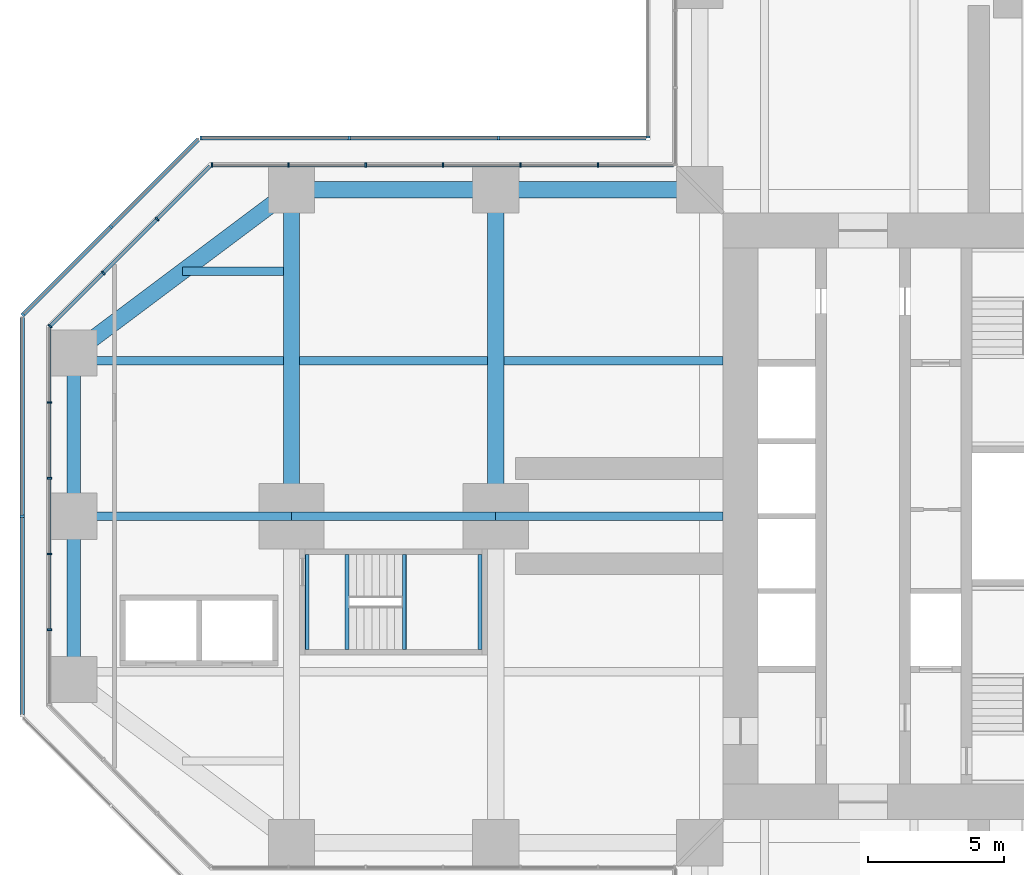
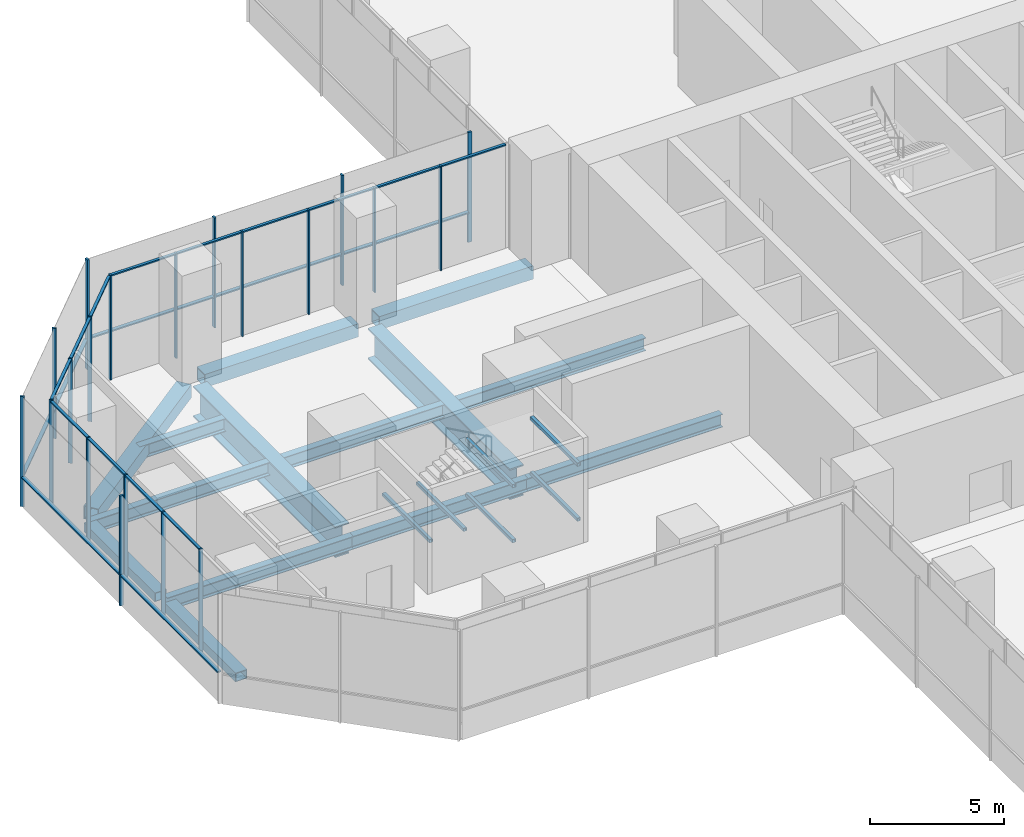
# One storey, part 7 of 23: 40 members, 20 beams, 7 elements without a shape of their own.
"""IFC4 building model written with IfcOpenShell, lengths in metres."""

from ifc_helpers import new_model, si_unit, direction, frame, origin, origin_2d, place, context, subcontext, project, spatial, rectangle, hollow_rectangle, i_section, extrude, material, material_profile, profile_set, type_object, element, aggregate, save


model = new_model("IFC4")

# Units and contexts
model_context = context("Model", 3, precision=1e-05, world=origin(), true_north=direction((0.0, 1.0)))
body_context = subcontext(model_context, "Body", "Model", "MODEL_VIEW")
ifc_project = project(units=[si_unit("LENGTHUNIT", "METRE"), si_unit("AREAUNIT", "SQUARE_METRE"), si_unit("VOLUMEUNIT", "CUBIC_METRE"), si_unit("PLANEANGLEUNIT", "RADIAN"), si_unit("MASSUNIT", "GRAM", prefix="KILO")], contexts=[model_context])

# Site, building, storey
site_placement = place(None, origin())
site = spatial("IfcSite", under=ifc_project, at=site_placement, CompositionType="ELEMENT")
building_placement = place(site_placement, origin())
building = spatial("IfcBuilding", under=site, at=building_placement, Name="Mizan Broadcast Tower", CompositionType="ELEMENT")
storey_placement = place(building_placement, frame((0.0, 0.0, 23.0)))
storey = spatial("IfcBuildingStorey", under=building, at=storey_placement, Name="L03", CompositionType="ELEMENT", Elevation=23.0)

# Beams
ifc_material_1 = material(Name="Steel S355", Category="steel")
ifc_material_profile_1 = material_profile(ifc_material_1, hollow_rectangle(XDim=0.5, YDim=0.39990234375, WallThickness=0.02490234375, at=origin_2d()), Name="BOX 400x500x25")
ifc_profile_set_1 = profile_set([ifc_material_profile_1], Name="Steel S355")
beam_type_1 = type_object("IfcBeamType", Name="EDGE BEAM BOX 400x500x25", PredefinedType="SPANDREL", material=ifc_profile_set_1)
for number, where, z_axis, x_axis, name in (
    (1, (-35.0, 5.639892578125, -0.449951171875), (0.0, -1.0, 0.0), (1.0, 0.0, 0.0), "Edge beam BOX 400x500x25 L03 west arm"),
    (2, (-35.0, -5.639892578125, -0.449951171875), (0.0, 1.0, 0.0), (-1.0, 0.0, 0.0), "Edge beam BOX 400x500x25 L03 west arm"),
):
    element("IfcBeam", number, at=place(storey_placement, frame(where, z_axis=z_axis, x_axis=x_axis)), inside=storey, type_object=beam_type_1, Name=name, PredefinedType="SPANDREL", context=body_context, shape_type="SweptSolid", body=[
        extrude(hollow_rectangle(XDim=0.5, YDim=0.39990234375, WallThickness=0.02490234375, at=origin_2d()), origin(), (0.0, 0.0, 1.0), 5.27978515625),
    ])
ifc_material_2 = material(Name="Steel S355", Category="steel")
ifc_material_profile_2 = material_profile(ifc_material_2, hollow_rectangle(XDim=0.60009765625, YDim=0.60009765625, WallThickness=0.030029296875, at=origin_2d()), Name="BOX 600x600x30")
ifc_profile_set_2 = profile_set([ifc_material_profile_2], Name="Steel S355")
beam_type_2 = type_object("IfcBeamType", Name="EDGE BEAM BOX 600x600x30", PredefinedType="SPANDREL", material=ifc_profile_set_2)
beam_1_placement = place(storey_placement, frame((-27.47998046875, 11.639892578125, -0.550048828125), z_axis=(-0.800013316712, -0.599982243973, 0.0), x_axis=(0.599982243973, -0.800013316712, 0.0)))
element("IfcBeam", 3, at=beam_1_placement, inside=storey, type_object=beam_type_2, Name="Edge beam BOX 600x600x30 L03 west arm", PredefinedType="SPANDREL", context=body_context, shape_type="SweptSolid", body=[
    extrude(hollow_rectangle(XDim=0.60009765625, YDim=0.60009765625, WallThickness=0.030029296875, at=origin_2d()), origin(), (0.0, 0.0, 1.0), 8.7998046875),
])
ifc_material_3 = material(Name="Steel S355", Category="steel")
ifc_material_profile_3 = material_profile(ifc_material_3, hollow_rectangle(XDim=0.60009765625, YDim=0.60009765625, WallThickness=0.0400390625, at=origin_2d()), Name="BOX 600x600x40")
ifc_profile_set_3 = profile_set([ifc_material_profile_3], Name="Steel S355")
beam_type_3 = type_object("IfcBeamType", Name="EDGE BEAM BOX 600x600x40", PredefinedType="SPANDREL", material=ifc_profile_set_3)
for number, where, z_axis, x_axis, name in (
    (4, (-12.449951171875, 12.0, -0.550048828125), (-1.0, 0.0, 0.0), (0.0, -1.0, 0.0), "Edge beam BOX 600x600x40 L03 west arm"),
    (5, (-19.949951171875, 12.0, -0.550048828125), (-1.0, 0.0, 0.0), (0.0, -1.0, 0.0), "Edge beam BOX 600x600x40 L03 west arm"),
):
    element("IfcBeam", number, at=place(storey_placement, frame(where, z_axis=z_axis, x_axis=x_axis)), inside=storey, type_object=beam_type_3, Name=name, PredefinedType="SPANDREL", context=body_context, shape_type="SweptSolid", body=[
        extrude(hollow_rectangle(XDim=0.60009765625, YDim=0.60009765625, WallThickness=0.0400390625, at=origin_2d()), origin(), (0.0, 0.0, 1.0), 6.60009765625),
    ])
ifc_material_4 = material(Name="Steel S460", Category="steel")
ifc_material_profile_4 = material_profile(ifc_material_4, i_section(OverallWidth=0.60009765625, OverallDepth=1.39990234375, WebThickness=0.02490234375, FlangeThickness=0.06005859375, at=origin_2d()), Name="WPG 1400x600")
ifc_profile_set_4 = profile_set([ifc_material_profile_4], Name="Steel S460")
beam_type_4 = type_object("IfcBeamType", Name="GIRDER WPG 1400x600", PredefinedType="BEAM", material=ifc_profile_set_4)
for number, where, z_axis, x_axis, name in (
    (6, (-19.5, 11.280029296875, -0.949951171875), (0.0, -1.0, 0.0), (1.0, 0.0, 0.0), "Girder WPG 1400x600 L03 west arm"),
    (7, (-27.0, 11.280029296875, -0.949951171875), (0.0, -1.0, 0.0), (1.0, 0.0, 0.0), "Girder WPG 1400x600 L03 west arm"),
):
    element("IfcBeam", number, at=place(storey_placement, frame(where, z_axis=z_axis, x_axis=x_axis)), inside=storey, type_object=beam_type_4, Name=name, PredefinedType="BEAM", context=body_context, shape_type="SweptSolid", body=[
        extrude(i_section(OverallWidth=0.60009765625, OverallDepth=1.39990234375, WebThickness=0.02490234375, FlangeThickness=0.06005859375, at=origin_2d()), origin(), (0.0, 0.0, 1.0), 10.56005859375),
    ])

# Curtain wall, members
ifc_material_5 = material(Name="Aluminium framed glazing", Category="aluminium")
curtain_wall_type_1 = type_object("IfcCurtainWallType", Name="PODIUM CURTAIN WALL", PredefinedType="USERDEFINED", material=ifc_material_5)
curtain_wall_1_placement = place(storey_placement, origin())
curtain_wall_1 = element("IfcCurtainWall", 8, at=curtain_wall_1_placement, inside=storey, type_object=curtain_wall_type_1, Name="Podium curtain wall L03 W side", ObjectType="PODIUM CURTAIN WALL", PredefinedType="USERDEFINED")
ifc_material_6 = material(Name="Aluminium, pale anodised", Category="aluminium")
ifc_material_profile_5 = material_profile(ifc_material_6, rectangle(XDim=0.159912109375, YDim=0.06005859375, at=origin_2d()), Name="MULLION 160x60")
ifc_profile_set_5 = profile_set([ifc_material_profile_5], Name="Aluminium, pale anodised")
member_type_1 = type_object("IfcMemberType", Name="INNER SKIN MULLION 60x160", PredefinedType="MULLION", material=ifc_profile_set_5)
member_1_placement = place(storey_placement, frame((-15.7431640625, 12.89990234375, 0.0), z_axis=(0.0, 0.0, 1.0), x_axis=(0.0, -1.0, 0.0)))
member_1 = element("IfcMember", 9, at=member_1_placement, type_object=member_type_1, Name="Podium curtain wall L03 W side mullion 2", PredefinedType="MULLION", context=body_context, shape_type="SweptSolid", body=[
    extrude(rectangle(XDim=0.159912109375, YDim=0.06005859375, at=origin_2d()), origin(), (0.0, 0.0, 1.0), 4.75),
])
member_2_placement = place(storey_placement, frame((-18.586181640625, 12.89990234375, 0.0), z_axis=(0.0, 0.0, 1.0), x_axis=(0.0, -1.0, 0.0)))
member_2 = element("IfcMember", 10, at=member_2_placement, type_object=member_type_1, Name="Podium curtain wall L03 W side mullion 3", PredefinedType="MULLION", context=body_context, shape_type="SweptSolid", body=[
    extrude(rectangle(XDim=0.159912109375, YDim=0.06005859375, at=origin_2d()), origin(), (0.0, 0.0, 1.0), 4.75),
])
member_3_placement = place(storey_placement, frame((-21.42919921875, 12.89990234375, 0.0), z_axis=(0.0, 0.0, 1.0), x_axis=(0.0, -1.0, 0.0)))
member_3 = element("IfcMember", 11, at=member_3_placement, type_object=member_type_1, Name="Podium curtain wall L03 W side mullion 4", PredefinedType="MULLION", context=body_context, shape_type="SweptSolid", body=[
    extrude(rectangle(XDim=0.159912109375, YDim=0.06005859375, at=origin_2d()), origin(), (0.0, 0.0, 1.0), 4.75),
])
member_4_placement = place(storey_placement, frame((-24.2724609375, 12.89990234375, 0.0), z_axis=(0.0, 0.0, 1.0), x_axis=(0.0, -1.0, 0.0)))
member_4 = element("IfcMember", 12, at=member_4_placement, type_object=member_type_1, Name="Podium curtain wall L03 W side mullion 5", PredefinedType="MULLION", context=body_context, shape_type="SweptSolid", body=[
    extrude(rectangle(XDim=0.159912109375, YDim=0.06005859375, at=origin_2d()), origin(), (0.0, 0.0, 1.0), 4.75),
])
member_5_placement = place(storey_placement, frame((-27.115478515625, 12.89990234375, 0.0), z_axis=(0.0, 0.0, 1.0), x_axis=(0.0, -1.0, 0.0)))
member_5 = element("IfcMember", 13, at=member_5_placement, type_object=member_type_1, Name="Podium curtain wall L03 W side mullion 6", PredefinedType="MULLION", context=body_context, shape_type="SweptSolid", body=[
    extrude(rectangle(XDim=0.159912109375, YDim=0.06005859375, at=origin_2d()), origin(), (0.0, 0.0, 1.0), 4.75),
])
member_6_placement = place(storey_placement, frame((-29.928466796875, 12.89990234375, 0.0), z_axis=(0.0, 0.0, 1.0), x_axis=(0.0, -1.0, 0.0)))
member_6 = element("IfcMember", 14, at=member_6_placement, type_object=member_type_1, Name="Podium curtain wall L03 W side mullion 7", PredefinedType="MULLION", context=body_context, shape_type="SweptSolid", body=[
    extrude(rectangle(XDim=0.159912109375, YDim=0.06005859375, at=origin_2d()), origin(), (0.0, 0.0, 1.0), 4.75),
])

curtain_wall_2_placement = place(storey_placement, origin())
curtain_wall_2 = element("IfcCurtainWall", 15, at=curtain_wall_2_placement, inside=storey, type_object=curtain_wall_type_1, Name="Podium curtain wall L03 W chamfer", ObjectType="PODIUM CURTAIN WALL", PredefinedType="USERDEFINED")
member_7_placement = place(storey_placement, frame((-31.93896484375, 10.91943359375, 0.0), z_axis=(0.0, 0.0, 1.0), x_axis=(0.707106781187, -0.707106781187, 0.0)))
member_7 = element("IfcMember", 16, at=member_7_placement, type_object=member_type_1, Name="Podium curtain wall L03 W chamfer mullion 2", PredefinedType="MULLION", context=body_context, shape_type="SweptSolid", body=[
    extrude(rectangle(XDim=0.159912109375, YDim=0.06005859375, at=origin_2d()), origin(), (0.0, 0.0, 1.0), 4.75),
])
member_8_placement = place(storey_placement, frame((-33.91943359375, 8.93896484375, 0.0), z_axis=(0.0, 0.0, 1.0), x_axis=(0.707106781187, -0.707106781187, 0.0)))
member_8 = element("IfcMember", 17, at=member_8_placement, type_object=member_type_1, Name="Podium curtain wall L03 W chamfer mullion 3", PredefinedType="MULLION", context=body_context, shape_type="SweptSolid", body=[
    extrude(rectangle(XDim=0.159912109375, YDim=0.06005859375, at=origin_2d()), origin(), (0.0, 0.0, 1.0), 4.75),
])
member_9_placement = place(storey_placement, frame((-35.87890625, 6.979736328125, 0.0), z_axis=(0.0, 0.0, 1.0), x_axis=(0.707106781187, -0.707106781187, 0.0)))
member_9 = element("IfcMember", 18, at=member_9_placement, type_object=member_type_1, Name="Podium curtain wall L03 W chamfer mullion 4", PredefinedType="MULLION", context=body_context, shape_type="SweptSolid", body=[
    extrude(rectangle(XDim=0.159912109375, YDim=0.06005859375, at=origin_2d()), origin(), (0.0, 0.0, 1.0), 4.75),
])

curtain_wall_3_placement = place(storey_placement, origin())
curtain_wall_3 = element("IfcCurtainWall", 19, at=curtain_wall_3_placement, inside=storey, type_object=curtain_wall_type_1, Name="Podium curtain wall L03 W end", ObjectType="PODIUM CURTAIN WALL", PredefinedType="USERDEFINED")
member_10_placement = place(storey_placement, frame((-35.89990234375, 4.175048828125, 0.0), z_axis=(0.0, 0.0, 1.0), x_axis=(1.0, 0.0, 0.0)))
member_10 = element("IfcMember", 20, at=member_10_placement, type_object=member_type_1, Name="Podium curtain wall L03 W end mullion 2", PredefinedType="MULLION", context=body_context, shape_type="SweptSolid", body=[
    extrude(rectangle(XDim=0.159912109375, YDim=0.06005859375, at=origin_2d()), origin(), (0.0, 0.0, 1.0), 4.75),
])
member_11_placement = place(storey_placement, frame((-35.89990234375, 1.3916015625, 0.0), z_axis=(0.0, 0.0, 1.0), x_axis=(1.0, 0.0, 0.0)))
member_11 = element("IfcMember", 21, at=member_11_placement, type_object=member_type_1, Name="Podium curtain wall L03 W end mullion 3", PredefinedType="MULLION", context=body_context, shape_type="SweptSolid", body=[
    extrude(rectangle(XDim=0.159912109375, YDim=0.06005859375, at=origin_2d()), origin(), (0.0, 0.0, 1.0), 4.75),
])
member_12_placement = place(storey_placement, frame((-35.89990234375, -1.3916015625, 0.0), z_axis=(0.0, 0.0, 1.0), x_axis=(1.0, 0.0, 0.0)))
member_12 = element("IfcMember", 22, at=member_12_placement, type_object=member_type_1, Name="Podium curtain wall L03 W end mullion 4", PredefinedType="MULLION", context=body_context, shape_type="SweptSolid", body=[
    extrude(rectangle(XDim=0.159912109375, YDim=0.06005859375, at=origin_2d()), origin(), (0.0, 0.0, 1.0), 4.75),
])
member_13_placement = place(storey_placement, frame((-35.89990234375, -4.175048828125, 0.0), z_axis=(0.0, 0.0, 1.0), x_axis=(1.0, 0.0, 0.0)))
member_13 = element("IfcMember", 23, at=member_13_placement, type_object=member_type_1, Name="Podium curtain wall L03 W end mullion 5", PredefinedType="MULLION", context=body_context, shape_type="SweptSolid", body=[
    extrude(rectangle(XDim=0.159912109375, YDim=0.06005859375, at=origin_2d()), origin(), (0.0, 0.0, 1.0), 4.75),
])

# Member
ifc_material_7 = material(Name="Aluminium, pale anodised", Category="aluminium")
ifc_material_profile_6 = material_profile(ifc_material_7, rectangle(XDim=0.1201171875, YDim=0.06005859375, at=origin_2d()), Name="TRANSOM 120x60")
ifc_profile_set_6 = profile_set([ifc_material_profile_6], Name="Aluminium, pale anodised")
member_type_2 = type_object("IfcMemberType", Name="INNER SKIN TRANSOM 60x120", PredefinedType="USERDEFINED", material=ifc_profile_set_6)
member_14_placement = place(storey_placement, frame((-12.9599609375, 12.89990234375, 4.719970703125), z_axis=(-1.0, 0.0, 0.0), x_axis=(0.0, -1.0, 0.0)))
member_14 = element("IfcMember", 24, at=member_14_placement, type_object=member_type_2, Name="Podium curtain wall L03 W side transom 1.1", ObjectType="TRANSOM", PredefinedType="USERDEFINED", context=body_context, shape_type="SweptSolid", body=[
    extrude(rectangle(XDim=0.1201171875, YDim=0.06005859375, at=origin_2d()), origin(), (0.0, 0.0, 1.0), 2.753173828125),
])

member_15_placement = place(storey_placement, frame((-15.773193359375, 12.89990234375, 4.719970703125), z_axis=(-1.0, 0.0, 0.0), x_axis=(0.0, -1.0, 0.0)))
member_15 = element("IfcMember", 25, at=member_15_placement, type_object=member_type_2, Name="Podium curtain wall L03 W side transom 2.1", ObjectType="TRANSOM", PredefinedType="USERDEFINED", context=body_context, shape_type="SweptSolid", body=[
    extrude(rectangle(XDim=0.1201171875, YDim=0.06005859375, at=origin_2d()), origin(), (0.0, 0.0, 1.0), 2.782958984375),
])

member_16_placement = place(storey_placement, frame((-18.6162109375, 12.89990234375, 4.719970703125), z_axis=(-1.0, 0.0, 0.0), x_axis=(0.0, -1.0, 0.0)))
member_16 = element("IfcMember", 26, at=member_16_placement, type_object=member_type_2, Name="Podium curtain wall L03 W side transom 3.1", ObjectType="TRANSOM", PredefinedType="USERDEFINED", context=body_context, shape_type="SweptSolid", body=[
    extrude(rectangle(XDim=0.1201171875, YDim=0.06005859375, at=origin_2d()), origin(), (0.0, 0.0, 1.0), 2.782958984375),
])

member_17_placement = place(storey_placement, frame((-21.459228515625, 12.89990234375, 4.719970703125), z_axis=(-1.0, 0.0, 0.0), x_axis=(0.0, -1.0, 0.0)))
member_17 = element("IfcMember", 27, at=member_17_placement, type_object=member_type_2, Name="Podium curtain wall L03 W side transom 4.1", ObjectType="TRANSOM", PredefinedType="USERDEFINED", context=body_context, shape_type="SweptSolid", body=[
    extrude(rectangle(XDim=0.1201171875, YDim=0.06005859375, at=origin_2d()), origin(), (0.0, 0.0, 1.0), 2.783203125),
])

member_18_placement = place(storey_placement, frame((-24.302490234375, 12.89990234375, 4.719970703125), z_axis=(-1.0, 0.0, 0.0), x_axis=(0.0, -1.0, 0.0)))
member_18 = element("IfcMember", 28, at=member_18_placement, type_object=member_type_2, Name="Podium curtain wall L03 W side transom 5.1", ObjectType="TRANSOM", PredefinedType="USERDEFINED", context=body_context, shape_type="SweptSolid", body=[
    extrude(rectangle(XDim=0.1201171875, YDim=0.06005859375, at=origin_2d()), origin(), (0.0, 0.0, 1.0), 2.782958984375),
])

member_19_placement = place(storey_placement, frame((-27.1455078125, 12.89990234375, 4.719970703125), z_axis=(-1.0, 0.0, 0.0), x_axis=(0.0, -1.0, 0.0)))
member_19 = element("IfcMember", 29, at=member_19_placement, type_object=member_type_2, Name="Podium curtain wall L03 W side transom 6.1", ObjectType="TRANSOM", PredefinedType="USERDEFINED", context=body_context, shape_type="SweptSolid", body=[
    extrude(rectangle(XDim=0.1201171875, YDim=0.06005859375, at=origin_2d()), origin(), (0.0, 0.0, 1.0), 2.753173828125),
])

aggregate(curtain_wall_1, [member_1, member_2, member_3, member_4, member_5, member_6, member_14, member_15, member_16, member_17, member_18, member_19])

member_20_placement = place(storey_placement, frame((-30.0009765625, 12.857666015625, 4.719970703125), z_axis=(-0.707061749709, -0.707151809797, 0.0), x_axis=(0.707151809797, -0.707061749709, 0.0)))
member_20 = element("IfcMember", 30, at=member_20_placement, type_object=member_type_2, Name="Podium curtain wall L03 W chamfer transom 1.1", ObjectType="TRANSOM", PredefinedType="USERDEFINED", context=body_context, shape_type="SweptSolid", body=[
    extrude(rectangle(XDim=0.1201171875, YDim=0.06005859375, at=origin_2d()), origin(), (0.0, 0.0, 1.0), 2.7109375),
])

member_21_placement = place(storey_placement, frame((-31.960205078125, 10.898193359375, 4.719970703125), z_axis=(-0.707106781187, -0.707106781187, 0.0), x_axis=(0.707106781187, -0.707106781187, 0.0)))
member_21 = element("IfcMember", 31, at=member_21_placement, type_object=member_type_2, Name="Podium curtain wall L03 W chamfer transom 2.1", ObjectType="TRANSOM", PredefinedType="USERDEFINED", context=body_context, shape_type="SweptSolid", body=[
    extrude(rectangle(XDim=0.1201171875, YDim=0.06005859375, at=origin_2d()), origin(), (0.0, 0.0, 1.0), 2.74072265625),
])

member_22_placement = place(storey_placement, frame((-33.940673828125, 8.917724609375, 4.719970703125), z_axis=(-0.707151809797, -0.707061749709, 0.0), x_axis=(0.707061749709, -0.707151809797, 0.0)))
member_22 = element("IfcMember", 32, at=member_22_placement, type_object=member_type_2, Name="Podium curtain wall L03 W chamfer transom 3.1", ObjectType="TRANSOM", PredefinedType="USERDEFINED", context=body_context, shape_type="SweptSolid", body=[
    extrude(rectangle(XDim=0.1201171875, YDim=0.06005859375, at=origin_2d()), origin(), (0.0, 0.0, 1.0), 2.7109375),
])

aggregate(curtain_wall_2, [member_7, member_8, member_9, member_20, member_21, member_22])

member_23_placement = place(storey_placement, frame((-35.89990234375, 6.898681640625, 4.719970703125), z_axis=(0.0, -1.0, 0.0), x_axis=(1.0, 0.0, 0.0)))
member_23 = element("IfcMember", 33, at=member_23_placement, type_object=member_type_2, Name="Podium curtain wall L03 W end transom 1.1", ObjectType="TRANSOM", PredefinedType="USERDEFINED", context=body_context, shape_type="SweptSolid", body=[
    extrude(rectangle(XDim=0.1201171875, YDim=0.06005859375, at=origin_2d()), origin(), (0.0, 0.0, 1.0), 2.693603515625),
])

member_24_placement = place(storey_placement, frame((-35.89990234375, 4.145263671875, 4.719970703125), z_axis=(0.0, -1.0, 0.0), x_axis=(1.0, 0.0, 0.0)))
member_24 = element("IfcMember", 34, at=member_24_placement, type_object=member_type_2, Name="Podium curtain wall L03 W end transom 2.1", ObjectType="TRANSOM", PredefinedType="USERDEFINED", context=body_context, shape_type="SweptSolid", body=[
    extrude(rectangle(XDim=0.1201171875, YDim=0.06005859375, at=origin_2d()), origin(), (0.0, 0.0, 1.0), 2.7236328125),
])

member_25_placement = place(storey_placement, frame((-35.89990234375, 1.36181640625, 4.719970703125), z_axis=(0.0, -1.0, 0.0), x_axis=(1.0, 0.0, 0.0)))
member_25 = element("IfcMember", 35, at=member_25_placement, type_object=member_type_2, Name="Podium curtain wall L03 W end transom 3.1", ObjectType="TRANSOM", PredefinedType="USERDEFINED", context=body_context, shape_type="SweptSolid", body=[
    extrude(rectangle(XDim=0.1201171875, YDim=0.06005859375, at=origin_2d()), origin(), (0.0, 0.0, 1.0), 2.7236328125),
])

member_26_placement = place(storey_placement, frame((-35.89990234375, -1.421630859375, 4.719970703125), z_axis=(0.0, -1.0, 0.0), x_axis=(1.0, 0.0, 0.0)))
member_26 = element("IfcMember", 36, at=member_26_placement, type_object=member_type_2, Name="Podium curtain wall L03 W end transom 4.1", ObjectType="TRANSOM", PredefinedType="USERDEFINED", context=body_context, shape_type="SweptSolid", body=[
    extrude(rectangle(XDim=0.1201171875, YDim=0.06005859375, at=origin_2d()), origin(), (0.0, 0.0, 1.0), 2.7236328125),
])

aggregate(curtain_wall_3, [member_10, member_11, member_12, member_13, member_23, member_24, member_25, member_26])

# Beams
ifc_material_8 = material(Name="Steel S355", Category="steel")
ifc_material_profile_7 = material_profile(ifc_material_8, hollow_rectangle(XDim=0.14990234375, YDim=0.14990234375, WallThickness=0.008056640625, InnerFilletRadius=0.008056640625, OuterFilletRadius=0.011962890625, at=origin_2d()), Name="SHS 150x150x8")
ifc_profile_set_7 = profile_set([ifc_material_profile_7], Name="Steel S355")
beam_type_5 = type_object("IfcBeamType", Name="LANDING TRIMMER SHS 150x150x8", PredefinedType="BEAM", material=ifc_profile_set_7)
for number, where, z_axis, x_axis, name in (
    (37, (-22.85498046875, -1.39990234375, 0.97509765625), (0.0, -1.0, 0.0), (1.0, 0.0, 0.0), "Stair D landing trimmer L03"),
    (38, (-20.074951171875, -1.39990234375, 0.97509765625), (0.0, -1.0, 0.0), (1.0, 0.0, 0.0), "Stair D landing trimmer L03"),
    (39, (-26.425048828125, -1.39990234375, 2.22509765625), (0.0, -1.0, 0.0), (1.0, 0.0, 0.0), "Stair D landing trimmer L03"),
    (40, (-24.965087890625, -1.39990234375, 2.22509765625), (0.0, -1.0, 0.0), (1.0, 0.0, 0.0), "Stair D landing trimmer L03"),
    (41, (-22.85498046875, -1.39990234375, 3.47509765625), (0.0, -1.0, 0.0), (1.0, 0.0, 0.0), "Stair D landing trimmer L03"),
    (42, (-20.074951171875, -1.39990234375, 3.47509765625), (0.0, -1.0, 0.0), (1.0, 0.0, 0.0), "Stair D landing trimmer L03"),
):
    element("IfcBeam", number, at=place(storey_placement, frame(where, z_axis=z_axis, x_axis=x_axis)), inside=storey, type_object=beam_type_5, Name=name, PredefinedType="BEAM", context=body_context, shape_type="SweptSolid", body=[
        extrude(hollow_rectangle(XDim=0.14990234375, YDim=0.14990234375, WallThickness=0.008056640625, InnerFilletRadius=0.008056640625, OuterFilletRadius=0.011962890625, at=origin_2d()), origin(), (0.0, 0.0, 1.0), 3.5),
    ])

# Curtain wall, member
ifc_material_9 = material(Name="Aluminium framed glazing", Category="aluminium")
curtain_wall_type_2 = type_object("IfcCurtainWallType", Name="OUTER SKIN", PredefinedType="USERDEFINED", material=ifc_material_9)
curtain_wall_4_placement = place(storey_placement, origin())
curtain_wall_4 = element("IfcCurtainWall", 43, at=curtain_wall_4_placement, inside=storey, type_object=curtain_wall_type_2, Name="Outer skin L03 N side", ObjectType="OUTER SKIN", PredefinedType="USERDEFINED")
ifc_material_10 = material(Name="Aluminium, pale anodised", Category="aluminium")
ifc_material_profile_8 = material_profile(ifc_material_10, rectangle(XDim=0.159912109375, YDim=0.080078125, at=origin_2d()), Name="MULLION 160x80")
ifc_profile_set_8 = profile_set([ifc_material_profile_8], Name="Aluminium, pale anodised")
member_type_3 = type_object("IfcMemberType", Name="OUTER SKIN MULLION 80x160", PredefinedType="MULLION", material=ifc_profile_set_8)
member_27_placement = place(storey_placement, frame((-13.89990234375, 13.93994140625, 0.0), z_axis=(0.0, 0.0, 1.0), x_axis=(1.0, 0.0, 0.0)))
member_27 = element("IfcMember", 44, at=member_27_placement, type_object=member_type_3, Name="Outer skin L03 N side mullion 4", PredefinedType="MULLION", context=body_context, shape_type="SweptSolid", body=[
    extrude(rectangle(XDim=0.159912109375, YDim=0.080078125, at=origin_2d()), origin(), (0.0, 0.0, 1.0), 5.0),
])
aggregate(curtain_wall_4, [member_27])

# Curtain wall, members
curtain_wall_5_placement = place(storey_placement, origin())
curtain_wall_5 = element("IfcCurtainWall", 45, at=curtain_wall_5_placement, inside=storey, type_object=curtain_wall_type_2, Name="Outer skin L03 W side", ObjectType="OUTER SKIN", PredefinedType="USERDEFINED")
member_28_placement = place(storey_placement, frame((-19.390869140625, 13.89990234375, 0.0), z_axis=(0.0, 0.0, 1.0), x_axis=(0.0, -1.0, 0.0)))
member_28 = element("IfcMember", 46, at=member_28_placement, type_object=member_type_3, Name="Outer skin L03 W side mullion 2", PredefinedType="MULLION", context=body_context, shape_type="SweptSolid", body=[
    extrude(rectangle(XDim=0.159912109375, YDim=0.080078125, at=origin_2d()), origin(), (0.0, 0.0, 1.0), 5.0),
])
member_29_placement = place(storey_placement, frame((-24.8818359375, 13.89990234375, 0.0), z_axis=(0.0, 0.0, 1.0), x_axis=(0.0, -1.0, 0.0)))
member_29 = element("IfcMember", 47, at=member_29_placement, type_object=member_type_3, Name="Outer skin L03 W side mullion 3", PredefinedType="MULLION", context=body_context, shape_type="SweptSolid", body=[
    extrude(rectangle(XDim=0.159912109375, YDim=0.080078125, at=origin_2d()), origin(), (0.0, 0.0, 1.0), 5.0),
])
member_30_placement = place(storey_placement, frame((-30.332763671875, 13.89990234375, 0.0), z_axis=(0.0, 0.0, 1.0), x_axis=(0.0, -1.0, 0.0)))
member_30 = element("IfcMember", 48, at=member_30_placement, type_object=member_type_3, Name="Outer skin L03 W side mullion 4", PredefinedType="MULLION", context=body_context, shape_type="SweptSolid", body=[
    extrude(rectangle(XDim=0.159912109375, YDim=0.080078125, at=origin_2d()), origin(), (0.0, 0.0, 1.0), 5.0),
])

curtain_wall_6_placement = place(storey_placement, origin())
curtain_wall_6 = element("IfcCurtainWall", 49, at=curtain_wall_6_placement, inside=storey, type_object=curtain_wall_type_2, Name="Outer skin L03 W chamfer", ObjectType="OUTER SKIN", PredefinedType="USERDEFINED")
member_31_placement = place(storey_placement, frame((-33.636474609375, 10.636474609375, 0.0), z_axis=(0.0, 0.0, 1.0), x_axis=(0.707106781187, -0.707106781187, 0.0)))
member_31 = element("IfcMember", 50, at=member_31_placement, type_object=member_type_3, Name="Outer skin L03 W chamfer mullion 2", PredefinedType="MULLION", context=body_context, shape_type="SweptSolid", body=[
    extrude(rectangle(XDim=0.159912109375, YDim=0.080078125, at=origin_2d()), origin(), (0.0, 0.0, 1.0), 5.0),
])
member_32_placement = place(storey_placement, frame((-36.871826171875, 7.401123046875, 0.0), z_axis=(0.0, 0.0, 1.0), x_axis=(0.707106781187, -0.707106781187, 0.0)))
member_32 = element("IfcMember", 51, at=member_32_placement, type_object=member_type_3, Name="Outer skin L03 W chamfer mullion 3", PredefinedType="MULLION", context=body_context, shape_type="SweptSolid", body=[
    extrude(rectangle(XDim=0.159912109375, YDim=0.080078125, at=origin_2d()), origin(), (0.0, 0.0, 1.0), 5.0),
])

# Curtain wall, member
curtain_wall_7_placement = place(storey_placement, origin())
curtain_wall_7 = element("IfcCurtainWall", 52, at=curtain_wall_7_placement, inside=storey, type_object=curtain_wall_type_2, Name="Outer skin L03 W end", ObjectType="OUTER SKIN", PredefinedType="USERDEFINED")
member_33_placement = place(storey_placement, frame((-36.89990234375, 0.0, 0.0), z_axis=(0.0, 0.0, 1.0), x_axis=(1.0, 0.0, 0.0)))
member_33 = element("IfcMember", 53, at=member_33_placement, type_object=member_type_3, Name="Outer skin L03 W end mullion 2", PredefinedType="MULLION", context=body_context, shape_type="SweptSolid", body=[
    extrude(rectangle(XDim=0.159912109375, YDim=0.080078125, at=origin_2d()), origin(), (0.0, 0.0, 1.0), 5.0),
])

# Member
ifc_material_11 = material(Name="Aluminium, pale anodised", Category="aluminium")
ifc_material_profile_9 = material_profile(ifc_material_11, rectangle(XDim=0.159912109375, YDim=0.06005859375, at=origin_2d()), Name="TRANSOM 160x60")
ifc_profile_set_9 = profile_set([ifc_material_profile_9], Name="Aluminium, pale anodised")
member_type_4 = type_object("IfcMemberType", Name="OUTER SKIN TRANSOM 60x160", PredefinedType="USERDEFINED", material=ifc_profile_set_9)
member_34_placement = place(storey_placement, frame((-13.97998046875, 13.89990234375, 1.39990234375), z_axis=(-1.0, 0.0, 0.0), x_axis=(0.0, -1.0, 0.0)))
member_34 = element("IfcMember", 54, at=member_34_placement, type_object=member_type_4, Name="Outer skin L03 W side transom 1.1", ObjectType="TRANSOM", PredefinedType="USERDEFINED", context=body_context, shape_type="SweptSolid", body=[
    extrude(rectangle(XDim=0.159912109375, YDim=0.06005859375, at=origin_2d()), origin(), (0.0, 0.0, 1.0), 5.370849609375),
])

member_35_placement = place(storey_placement, frame((-19.430908203125, 13.89990234375, 1.39990234375), z_axis=(-1.0, 0.0, 0.0), x_axis=(0.0, -1.0, 0.0)))
member_35 = element("IfcMember", 55, at=member_35_placement, type_object=member_type_4, Name="Outer skin L03 W side transom 2.1", ObjectType="TRANSOM", PredefinedType="USERDEFINED", context=body_context, shape_type="SweptSolid", body=[
    extrude(rectangle(XDim=0.159912109375, YDim=0.06005859375, at=origin_2d()), origin(), (0.0, 0.0, 1.0), 5.410888671875),
])

member_36_placement = place(storey_placement, frame((-24.921875, 13.89990234375, 1.39990234375), z_axis=(-1.0, 0.0, 0.0), x_axis=(0.0, -1.0, 0.0)))
member_36 = element("IfcMember", 56, at=member_36_placement, type_object=member_type_4, Name="Outer skin L03 W side transom 3.1", ObjectType="TRANSOM", PredefinedType="USERDEFINED", context=body_context, shape_type="SweptSolid", body=[
    extrude(rectangle(XDim=0.159912109375, YDim=0.06005859375, at=origin_2d()), origin(), (0.0, 0.0, 1.0), 5.370849609375),
])

aggregate(curtain_wall_5, [member_28, member_29, member_30, member_34, member_35, member_36])

member_37_placement = place(storey_placement, frame((-30.429443359375, 13.843505859375, 1.39990234375), z_axis=(-0.707106781187, -0.707106781187, 0.0), x_axis=(0.707106781187, -0.707106781187, 0.0)))
member_37 = element("IfcMember", 57, at=member_37_placement, type_object=member_type_4, Name="Outer skin L03 W chamfer transom 1.1", ObjectType="TRANSOM", PredefinedType="USERDEFINED", context=body_context, shape_type="SweptSolid", body=[
    extrude(rectangle(XDim=0.159912109375, YDim=0.06005859375, at=origin_2d()), origin(), (0.0, 0.0, 1.0), 4.495361328125),
])

member_38_placement = place(storey_placement, frame((-33.664794921875, 10.608154296875, 1.39990234375), z_axis=(-0.707106781187, -0.707106781187, 0.0), x_axis=(0.707106781187, -0.707106781187, 0.0)))
member_38 = element("IfcMember", 58, at=member_38_placement, type_object=member_type_4, Name="Outer skin L03 W chamfer transom 2.1", ObjectType="TRANSOM", PredefinedType="USERDEFINED", context=body_context, shape_type="SweptSolid", body=[
    extrude(rectangle(XDim=0.159912109375, YDim=0.06005859375, at=origin_2d()), origin(), (0.0, 0.0, 1.0), 4.495361328125),
])

aggregate(curtain_wall_6, [member_31, member_32, member_37, member_38])

member_39_placement = place(storey_placement, frame((-36.89990234375, 7.292724609375, 1.39990234375), z_axis=(0.0, -1.0, 0.0), x_axis=(1.0, 0.0, 0.0)))
member_39 = element("IfcMember", 59, at=member_39_placement, type_object=member_type_4, Name="Outer skin L03 W end transom 1.1", ObjectType="TRANSOM", PredefinedType="USERDEFINED", context=body_context, shape_type="SweptSolid", body=[
    extrude(rectangle(XDim=0.159912109375, YDim=0.06005859375, at=origin_2d()), origin(), (0.0, 0.0, 1.0), 7.252685546875),
])

member_40_placement = place(storey_placement, frame((-36.89990234375, -0.0400390625, 1.39990234375), z_axis=(0.0, -1.0, 0.0), x_axis=(1.0, 0.0, 0.0)))
member_40 = element("IfcMember", 60, at=member_40_placement, type_object=member_type_4, Name="Outer skin L03 W end transom 2.1", ObjectType="TRANSOM", PredefinedType="USERDEFINED", context=body_context, shape_type="SweptSolid", body=[
    extrude(rectangle(XDim=0.159912109375, YDim=0.06005859375, at=origin_2d()), origin(), (0.0, 0.0, 1.0), 7.252685546875),
])

aggregate(curtain_wall_7, [member_33, member_39, member_40])

# Beams
ifc_material_12 = material(Name="Steel S355", Category="steel")
ifc_material_profile_10 = material_profile(ifc_material_12, i_section(OverallWidth=0.300048828125, OverallDepth=0.590087890625, WebThickness=0.012939453125, FlangeThickness=0.02490234375, FilletRadius=0.027099609375, at=origin_2d()), Name="HEA 600")
ifc_profile_set_10 = profile_set([ifc_material_profile_10], Name="Steel S355")
beam_type_6 = type_object("IfcBeamType", Name="SECONDARY BEAM HEA 600", PredefinedType="JOIST", material=ifc_profile_set_10)
beam_2_placement = place(storey_placement, frame((-11.14990234375, 5.71435546875, -0.544921875), z_axis=(-1.0, 0.0, 0.0), x_axis=(0.0, -1.0, 0.0)))
element("IfcBeam", 61, at=beam_2_placement, inside=storey, type_object=beam_type_6, Name="Secondary beam HEA 600 L03 west arm", PredefinedType="JOIST", context=body_context, shape_type="SweptSolid", body=[
    extrude(i_section(OverallWidth=0.300048828125, OverallDepth=0.590087890625, WebThickness=0.012939453125, FlangeThickness=0.02490234375, FilletRadius=0.027099609375, at=origin_2d()), origin(), (0.0, 0.0, 1.0), 8.050048828125),
])
beam_3_placement = place(storey_placement, frame((-19.800048828125, 5.71435546875, -0.544921875), z_axis=(-1.0, 0.0, 0.0), x_axis=(0.0, -1.0, 0.0)))
element("IfcBeam", 62, at=beam_3_placement, inside=storey, type_object=beam_type_6, Name="Secondary beam HEA 600 L03 west arm", PredefinedType="JOIST", context=body_context, shape_type="SweptSolid", body=[
    extrude(i_section(OverallWidth=0.300048828125, OverallDepth=0.590087890625, WebThickness=0.012939453125, FlangeThickness=0.02490234375, FilletRadius=0.027099609375, at=origin_2d()), origin(), (0.0, 0.0, 1.0), 6.89990234375),
])
beam_4_placement = place(storey_placement, frame((-27.300048828125, 5.71435546875, -0.544921875), z_axis=(-1.0, 0.0, 0.0), x_axis=(0.0, -1.0, 0.0)))
element("IfcBeam", 63, at=beam_4_placement, inside=storey, type_object=beam_type_6, Name="Secondary beam HEA 600 L03 west arm", PredefinedType="JOIST", context=body_context, shape_type="SweptSolid", body=[
    extrude(i_section(OverallWidth=0.300048828125, OverallDepth=0.590087890625, WebThickness=0.012939453125, FlangeThickness=0.02490234375, FilletRadius=0.027099609375, at=origin_2d()), origin(), (0.0, 0.0, 1.0), 7.699951171875),
])
beam_5_placement = place(storey_placement, frame((-27.300048828125, 9.0, -0.544921875), z_axis=(-1.0, 0.0, 0.0), x_axis=(0.0, -1.0, 0.0)))
element("IfcBeam", 64, at=beam_5_placement, inside=storey, type_object=beam_type_6, Name="Secondary beam HEA 600 L03 west arm", PredefinedType="JOIST", context=body_context, shape_type="SweptSolid", body=[
    extrude(i_section(OverallWidth=0.300048828125, OverallDepth=0.590087890625, WebThickness=0.012939453125, FlangeThickness=0.02490234375, FilletRadius=0.027099609375, at=origin_2d()), origin(), (0.0, 0.0, 1.0), 3.699951171875),
])
beam_6_placement = place(storey_placement, frame((-11.14990234375, 0.0, -0.544921875), z_axis=(-1.0, 0.0, 0.0), x_axis=(0.0, -1.0, 0.0)))
element("IfcBeam", 65, at=beam_6_placement, inside=storey, type_object=beam_type_6, Name="Secondary beam HEA 600 L03 west arm", PredefinedType="JOIST", context=body_context, shape_type="SweptSolid", body=[
    extrude(i_section(OverallWidth=0.300048828125, OverallDepth=0.590087890625, WebThickness=0.012939453125, FlangeThickness=0.02490234375, FilletRadius=0.027099609375, at=origin_2d()), origin(), (0.0, 0.0, 1.0), 8.35009765625),
])
beam_7_placement = place(storey_placement, frame((-19.5, 0.0, -0.544921875), z_axis=(-1.0, 0.0, 0.0), x_axis=(0.0, -1.0, 0.0)))
element("IfcBeam", 66, at=beam_7_placement, inside=storey, type_object=beam_type_6, Name="Secondary beam HEA 600 L03 west arm", PredefinedType="JOIST", context=body_context, shape_type="SweptSolid", body=[
    extrude(i_section(OverallWidth=0.300048828125, OverallDepth=0.590087890625, WebThickness=0.012939453125, FlangeThickness=0.02490234375, FilletRadius=0.027099609375, at=origin_2d()), origin(), (0.0, 0.0, 1.0), 7.5),
])
beam_8_placement = place(storey_placement, frame((-27.0, 0.0, -0.544921875), z_axis=(-1.0, 0.0, 0.0), x_axis=(0.0, -1.0, 0.0)))
element("IfcBeam", 67, at=beam_8_placement, inside=storey, type_object=beam_type_6, Name="Secondary beam HEA 600 L03 west arm", PredefinedType="JOIST", context=body_context, shape_type="SweptSolid", body=[
    extrude(i_section(OverallWidth=0.300048828125, OverallDepth=0.590087890625, WebThickness=0.012939453125, FlangeThickness=0.02490234375, FilletRadius=0.027099609375, at=origin_2d()), origin(), (0.0, 0.0, 1.0), 8.0),
])

save(model, "model.ifc")
